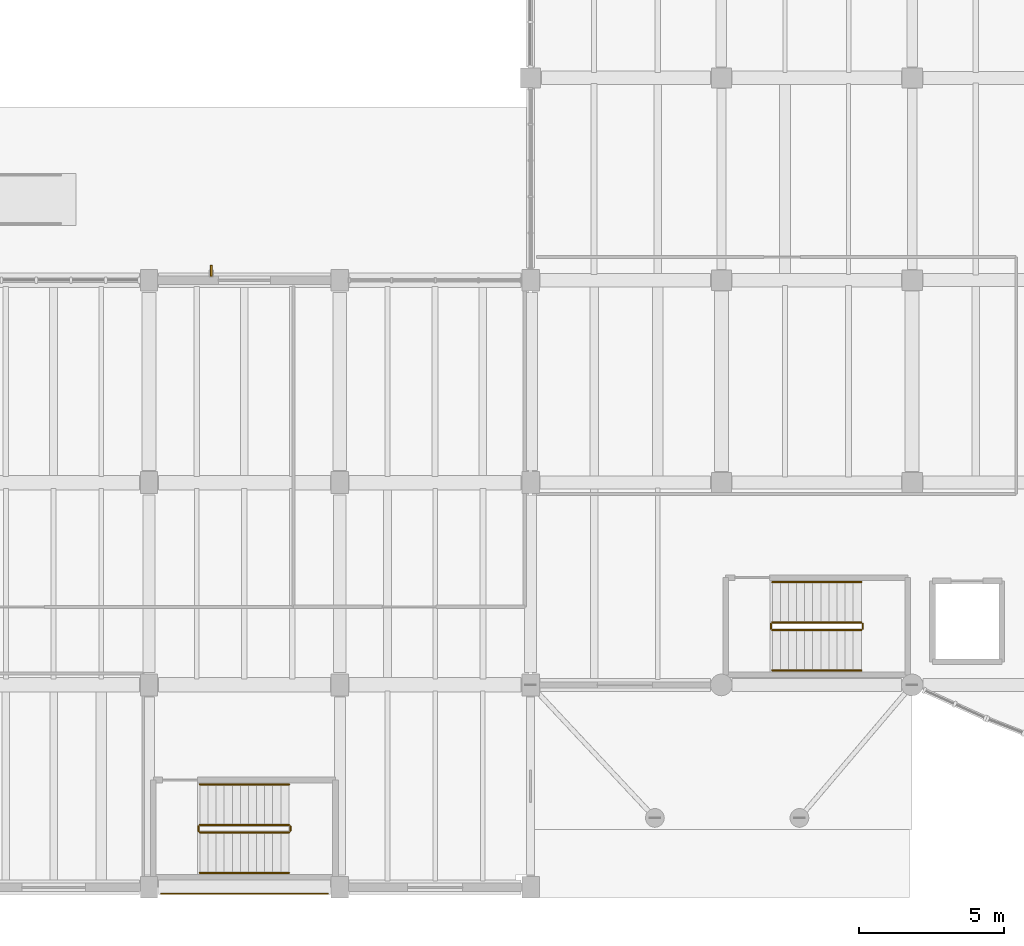
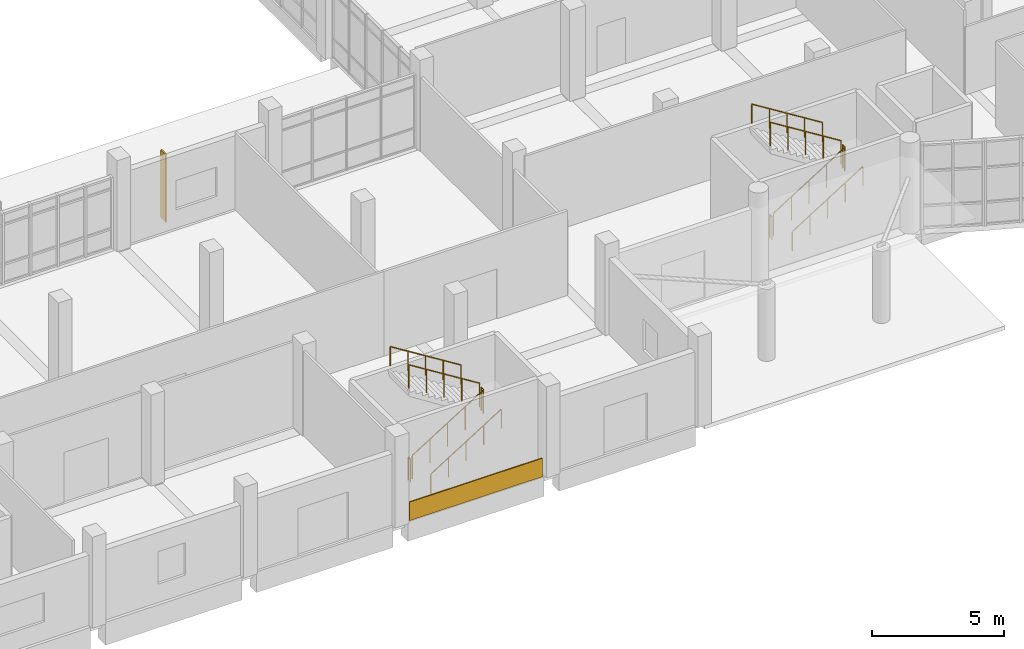
# One storey, part 60 of 69: 12 railings, 1 covering, 1 shading device.
"""IFC4 building model written with IfcOpenShell, lengths in metres."""

from ifc_helpers import new_model, si_unit, direction, frame, origin, origin_2d, place, context, subcontext, project, spatial, rectangle, circle, extrude, material, layer, layer_set, material_profile, profile_set, type_object, element, save


model = new_model("IFC4")

# Units and contexts
model_context = context("Model", 3, precision=1e-05, world=origin(), true_north=direction((0.0, 1.0)))
body_context = subcontext(model_context, "Body", "Model", "MODEL_VIEW")
ifc_project = project(units=[si_unit("LENGTHUNIT", "METRE"), si_unit("AREAUNIT", "SQUARE_METRE"), si_unit("VOLUMEUNIT", "CUBIC_METRE"), si_unit("PLANEANGLEUNIT", "RADIAN"), si_unit("MASSUNIT", "GRAM", prefix="KILO")], contexts=[model_context])

# Site, building, storey
site_placement = place(None, origin())
site = spatial("IfcSite", under=ifc_project, at=site_placement, CompositionType="ELEMENT")
building_placement = place(site_placement, origin())
building = spatial("IfcBuilding", under=site, at=building_placement, Name="Ciguamira Faculty of Natural Sciences", CompositionType="ELEMENT")
storey_placement = place(building_placement, origin())
storey = spatial("IfcBuildingStorey", under=building, at=storey_placement, Name="L00", CompositionType="ELEMENT", Elevation=0.0)

# Covering
ifc_material_1 = material(Name="Precast concrete C40/50", Category="concrete")
ifc_layer = layer(ifc_material_1, 0.050048828125, Name="Precast concrete C40/50")
ifc_layer_set = layer_set([ifc_layer], Name="Precast concrete C40/50")
covering_type = type_object("IfcCoveringType", Name="Cladding_CL01", PredefinedType="CLADDING", material=ifc_layer_set)
covering_placement = place(storey_placement, frame((40.800048828125, 2.77587890625, 0.02490234375), z_axis=(0.0, 0.0, 1.0), x_axis=(1.0, 0.0, 0.0)))
element("IfcCovering", 1, at=covering_placement, inside=storey, type_object=covering_type, Name="L00 precast concrete spandrel cladding 002", PredefinedType="CLADDING", context=body_context, shape_type="SweptSolid", body=[
    extrude(rectangle(XDim=5.800048828125, YDim=0.050048828125, at=origin_2d()), origin(), (0.0, 0.0, 1.0), 0.85009765625),
])

# Railings
ifc_material_2 = material(Name="Stainless steel balustrade", Category="steel")
railing_type_1 = type_object("IfcRailingType", Name="Guardrail_GR01", PredefinedType="GUARDRAIL", material=ifc_material_2)
railing_1_placement = place(storey_placement, frame((59.06005859375, 11.89990234375, 0.175048828125)))
element("IfcRailing", 2, at=railing_1_placement, inside=storey, type_object=railing_type_1, Name="L00 ST-A1 stair guard 1", PredefinedType="GUARDRAIL", context=body_context, shape_type="SweptSolid", body=[
    extrude(circle(Radius=0.02392578125, at=origin_2d()), frame((0.0, 0.0, 1.076171875), z_axis=(0.847979421464, 0.0, 0.530029150871), x_axis=(0.0, 1.0, 0.0)), (0.0, 0.0, 1.0), 3.632080078125),
    extrude(circle(Radius=0.02099609375, at=origin_2d()), origin(), (0.0, 0.0, 1.0), 1.052001953125),
    extrude(circle(Radius=0.02099609375, at=origin_2d()), frame((0.77001953125, 0.0, 0.481201171875)), (0.0, 0.0, 1.0), 1.052001953125),
    extrude(circle(Radius=0.02099609375, at=origin_2d()), frame((1.5400390625, 0.0, 0.96240234375)), (0.0, 0.0, 1.0), 1.052001953125),
    extrude(circle(Radius=0.02099609375, at=origin_2d()), frame((2.309814453125, 0.0, 1.44384765625)), (0.0, 0.0, 1.0), 1.052001953125),
    extrude(circle(Radius=0.02099609375, at=origin_2d()), frame((3.079833984375, 0.0, 1.925048828125)), (0.0, 0.0, 1.0), 1.052001953125),
])
railing_2_placement = place(storey_placement, frame((62.18994140625, 11.949951171875, 2.10009765625)))
element("IfcRailing", 3, at=railing_2_placement, inside=storey, type_object=railing_type_1, Name="L00 ST-A1 stair guard 2", PredefinedType="GUARDRAIL", context=body_context, shape_type="SweptSolid", body=[
    extrude(circle(Radius=0.02392578125, at=origin_2d()), frame((0.0, 0.0, 1.076171875), z_axis=(0.0, 1.0, 0.0), x_axis=(-1.0, 0.0, 0.0)), (0.0, 0.0, 1.0), 0.16015625),
    extrude(circle(Radius=0.02099609375, at=origin_2d()), origin(), (0.0, 0.0, 1.0), 1.052001953125),
    extrude(circle(Radius=0.02099609375, at=origin_2d()), frame((0.0, 0.16015625, 0.0)), (0.0, 0.0, 1.0), 1.052001953125),
])
railing_3_placement = place(storey_placement, frame((62.139892578125, 12.159912109375, 2.27490234375)))
element("IfcRailing", 4, at=railing_3_placement, inside=storey, type_object=railing_type_1, Name="L00 ST-A1 stair guard 3", PredefinedType="GUARDRAIL", context=body_context, shape_type="SweptSolid", body=[
    extrude(circle(Radius=0.02392578125, at=origin_2d()), frame((0.0, 0.0, 1.076171875), z_axis=(-0.847979421464, 0.0, 0.530029150871), x_axis=(0.0, -1.0, 0.0)), (0.0, 0.0, 1.0), 3.632080078125),
    extrude(circle(Radius=0.02099609375, at=origin_2d()), origin(), (0.0, 0.0, 1.0), 1.052001953125),
    extrude(circle(Radius=0.02099609375, at=origin_2d()), frame((-0.77001953125, 0.0, 0.481201171875)), (0.0, 0.0, 1.0), 1.052001953125),
    extrude(circle(Radius=0.02099609375, at=origin_2d()), frame((-1.5400390625, 0.0, 0.96240234375)), (0.0, 0.0, 1.0), 1.052001953125),
    extrude(circle(Radius=0.02099609375, at=origin_2d()), frame((-2.309814453125, 0.0, 1.44384765625)), (0.0, 0.0, 1.0), 1.052001953125),
    extrude(circle(Radius=0.02099609375, at=origin_2d()), frame((-3.079833984375, 0.0, 1.925048828125)), (0.0, 0.0, 1.0), 1.052001953125),
])
railing_4_placement = place(storey_placement, frame((59.010009765625, 11.949951171875, 0.0)))
element("IfcRailing", 5, at=railing_4_placement, inside=storey, type_object=railing_type_1, Name="L00 ST-A1 stair guard 4", PredefinedType="GUARDRAIL", context=body_context, shape_type="SweptSolid", body=[
    extrude(circle(Radius=0.02392578125, at=origin_2d()), frame((0.0, 0.0, 1.076171875), z_axis=(0.0, 1.0, 0.0), x_axis=(-1.0, 0.0, 0.0)), (0.0, 0.0, 1.0), 0.16015625),
    extrude(circle(Radius=0.02099609375, at=origin_2d()), origin(), (0.0, 0.0, 1.0), 1.052001953125),
    extrude(circle(Radius=0.02099609375, at=origin_2d()), frame((0.0, 0.16015625, 0.0)), (0.0, 0.0, 1.0), 1.052001953125),
])
railing_5_placement = place(storey_placement, frame((39.260009765625, 4.89990234375, 0.175048828125)))
element("IfcRailing", 6, at=railing_5_placement, inside=storey, type_object=railing_type_1, Name="L00 ST-C2 stair guard 1", PredefinedType="GUARDRAIL", context=body_context, shape_type="SweptSolid", body=[
    extrude(circle(Radius=0.02392578125, at=origin_2d()), frame((0.0, 0.0, 1.076171875), z_axis=(0.847998304005, 0.0, 0.529998940003), x_axis=(0.0, 1.0, 0.0)), (0.0, 0.0, 1.0), 3.632080078125),
    extrude(circle(Radius=0.02099609375, at=origin_2d()), origin(), (0.0, 0.0, 1.0), 1.052001953125),
    extrude(circle(Radius=0.02099609375, at=origin_2d()), frame((0.77001953125, 0.0, 0.481201171875)), (0.0, 0.0, 1.0), 1.052001953125),
    extrude(circle(Radius=0.02099609375, at=origin_2d()), frame((1.5400390625, 0.0, 0.96240234375)), (0.0, 0.0, 1.0), 1.052001953125),
    extrude(circle(Radius=0.02099609375, at=origin_2d()), frame((2.31005859375, 0.0, 1.44384765625)), (0.0, 0.0, 1.0), 1.052001953125),
    extrude(circle(Radius=0.02099609375, at=origin_2d()), frame((3.080078125, 0.0, 1.925048828125)), (0.0, 0.0, 1.0), 1.052001953125),
])
railing_6_placement = place(storey_placement, frame((42.389892578125, 4.949951171875, 2.10009765625)))
element("IfcRailing", 7, at=railing_6_placement, inside=storey, type_object=railing_type_1, Name="L00 ST-C2 stair guard 2", PredefinedType="GUARDRAIL", context=body_context, shape_type="SweptSolid", body=[
    extrude(circle(Radius=0.02392578125, at=origin_2d()), frame((0.0, 0.0, 1.076171875), z_axis=(0.0, 1.0, 0.0), x_axis=(-1.0, 0.0, 0.0)), (0.0, 0.0, 1.0), 0.16015625),
    extrude(circle(Radius=0.02099609375, at=origin_2d()), origin(), (0.0, 0.0, 1.0), 1.052001953125),
    extrude(circle(Radius=0.02099609375, at=origin_2d()), frame((0.0, 0.16015625, 0.0)), (0.0, 0.0, 1.0), 1.052001953125),
])
railing_7_placement = place(storey_placement, frame((42.340087890625, 5.159912109375, 2.27490234375)))
element("IfcRailing", 8, at=railing_7_placement, inside=storey, type_object=railing_type_1, Name="L00 ST-C2 stair guard 3", PredefinedType="GUARDRAIL", context=body_context, shape_type="SweptSolid", body=[
    extrude(circle(Radius=0.02392578125, at=origin_2d()), frame((0.0, 0.0, 1.076171875), z_axis=(-0.847998304005, 0.0, 0.529998940003), x_axis=(0.0, -1.0, 0.0)), (0.0, 0.0, 1.0), 3.632080078125),
    extrude(circle(Radius=0.02099609375, at=origin_2d()), origin(), (0.0, 0.0, 1.0), 1.052001953125),
    extrude(circle(Radius=0.02099609375, at=origin_2d()), frame((-0.77001953125, 0.0, 0.481201171875)), (0.0, 0.0, 1.0), 1.052001953125),
    extrude(circle(Radius=0.02099609375, at=origin_2d()), frame((-1.5400390625, 0.0, 0.96240234375)), (0.0, 0.0, 1.0), 1.052001953125),
    extrude(circle(Radius=0.02099609375, at=origin_2d()), frame((-2.31005859375, 0.0, 1.44384765625)), (0.0, 0.0, 1.0), 1.052001953125),
    extrude(circle(Radius=0.02099609375, at=origin_2d()), frame((-3.080078125, 0.0, 1.925048828125)), (0.0, 0.0, 1.0), 1.052001953125),
])
railing_8_placement = place(storey_placement, frame((39.2099609375, 4.949951171875, 0.0)))
element("IfcRailing", 9, at=railing_8_placement, inside=storey, type_object=railing_type_1, Name="L00 ST-C2 stair guard 4", PredefinedType="GUARDRAIL", context=body_context, shape_type="SweptSolid", body=[
    extrude(circle(Radius=0.02392578125, at=origin_2d()), frame((0.0, 0.0, 1.076171875), z_axis=(0.0, 1.0, 0.0), x_axis=(-1.0, 0.0, 0.0)), (0.0, 0.0, 1.0), 0.16015625),
    extrude(circle(Radius=0.02099609375, at=origin_2d()), origin(), (0.0, 0.0, 1.0), 1.052001953125),
    extrude(circle(Radius=0.02099609375, at=origin_2d()), frame((0.0, 0.16015625, 0.0)), (0.0, 0.0, 1.0), 1.052001953125),
])
ifc_material_3 = material(Name="Stainless steel handrail", Category="steel")
railing_type_2 = type_object("IfcRailingType", Name="Handrail_HR01", PredefinedType="HANDRAIL", material=ifc_material_3)
railing_9_placement = place(storey_placement, frame((59.06005859375, 10.5, 0.35009765625)))
element("IfcRailing", 10, at=railing_9_placement, inside=storey, type_object=railing_type_2, Name="L00 ST-A1 stair handrail 1", PredefinedType="HANDRAIL", context=body_context, shape_type="SweptSolid", body=[
    extrude(circle(Radius=0.02392578125, at=origin_2d()), frame((0.0, 0.0, 0.89111328125), z_axis=(0.848009633417, 0.0, 0.529980812513), x_axis=(0.0, 1.0, 0.0)), (0.0, 0.0, 1.0), 3.6318359375),
    extrude(circle(Radius=0.02099609375, at=origin_2d()), origin(), (0.0, 0.0, 1.0), 0.866943359375),
    extrude(circle(Radius=0.02099609375, at=origin_2d()), frame((0.77001953125, 0.0, 0.481201171875)), (0.0, 0.0, 1.0), 0.866943359375),
    extrude(circle(Radius=0.02099609375, at=origin_2d()), frame((1.5400390625, 0.0, 0.96240234375)), (0.0, 0.0, 1.0), 0.866943359375),
    extrude(circle(Radius=0.02099609375, at=origin_2d()), frame((2.309814453125, 0.0, 1.443603515625)), (0.0, 0.0, 1.0), 0.866943359375),
    extrude(circle(Radius=0.02099609375, at=origin_2d()), frame((3.079833984375, 0.0, 1.9248046875)), (0.0, 0.0, 1.0), 0.866943359375),
])
railing_10_placement = place(storey_placement, frame((62.139892578125, 13.56005859375, 2.449951171875)))
element("IfcRailing", 11, at=railing_10_placement, inside=storey, type_object=railing_type_2, Name="L00 ST-A1 stair handrail 2", PredefinedType="HANDRAIL", context=body_context, shape_type="SweptSolid", body=[
    extrude(circle(Radius=0.02392578125, at=origin_2d()), frame((0.0, 0.0, 0.89111328125), z_axis=(-0.847979421464, 0.0, 0.530029150871), x_axis=(0.0, -1.0, 0.0)), (0.0, 0.0, 1.0), 3.632080078125),
    extrude(circle(Radius=0.02099609375, at=origin_2d()), origin(), (0.0, 0.0, 1.0), 0.866943359375),
    extrude(circle(Radius=0.02099609375, at=origin_2d()), frame((-0.77001953125, 0.0, 0.481201171875)), (0.0, 0.0, 1.0), 0.866943359375),
    extrude(circle(Radius=0.02099609375, at=origin_2d()), frame((-1.5400390625, 0.0, 0.96240234375)), (0.0, 0.0, 1.0), 0.866943359375),
    extrude(circle(Radius=0.02099609375, at=origin_2d()), frame((-2.309814453125, 0.0, 1.44384765625)), (0.0, 0.0, 1.0), 0.866943359375),
    extrude(circle(Radius=0.02099609375, at=origin_2d()), frame((-3.079833984375, 0.0, 1.925048828125)), (0.0, 0.0, 1.0), 0.866943359375),
])
railing_11_placement = place(storey_placement, frame((39.260009765625, 3.5, 0.35009765625)))
element("IfcRailing", 12, at=railing_11_placement, inside=storey, type_object=railing_type_2, Name="L00 ST-C2 stair handrail 1", PredefinedType="HANDRAIL", context=body_context, shape_type="SweptSolid", body=[
    extrude(circle(Radius=0.02392578125, at=origin_2d()), frame((0.0, 0.0, 0.89111328125), z_axis=(0.848028513186, 0.0, 0.529950602248), x_axis=(0.0, 1.0, 0.0)), (0.0, 0.0, 1.0), 3.632080078125),
    extrude(circle(Radius=0.02099609375, at=origin_2d()), origin(), (0.0, 0.0, 1.0), 0.866943359375),
    extrude(circle(Radius=0.02099609375, at=origin_2d()), frame((0.77001953125, 0.0, 0.481201171875)), (0.0, 0.0, 1.0), 0.866943359375),
    extrude(circle(Radius=0.02099609375, at=origin_2d()), frame((1.5400390625, 0.0, 0.96240234375)), (0.0, 0.0, 1.0), 0.866943359375),
    extrude(circle(Radius=0.02099609375, at=origin_2d()), frame((2.31005859375, 0.0, 1.443603515625)), (0.0, 0.0, 1.0), 0.866943359375),
    extrude(circle(Radius=0.02099609375, at=origin_2d()), frame((3.080078125, 0.0, 1.9248046875)), (0.0, 0.0, 1.0), 0.866943359375),
])
railing_12_placement = place(storey_placement, frame((42.340087890625, 6.56005859375, 2.449951171875)))
element("IfcRailing", 13, at=railing_12_placement, inside=storey, type_object=railing_type_2, Name="L00 ST-C2 stair handrail 2", PredefinedType="HANDRAIL", context=body_context, shape_type="SweptSolid", body=[
    extrude(circle(Radius=0.02392578125, at=origin_2d()), frame((0.0, 0.0, 0.89111328125), z_axis=(-0.847998304005, 0.0, 0.529998940003), x_axis=(0.0, -1.0, 0.0)), (0.0, 0.0, 1.0), 3.632080078125),
    extrude(circle(Radius=0.02099609375, at=origin_2d()), origin(), (0.0, 0.0, 1.0), 0.866943359375),
    extrude(circle(Radius=0.02099609375, at=origin_2d()), frame((-0.77001953125, 0.0, 0.481201171875)), (0.0, 0.0, 1.0), 0.866943359375),
    extrude(circle(Radius=0.02099609375, at=origin_2d()), frame((-1.5400390625, 0.0, 0.96240234375)), (0.0, 0.0, 1.0), 0.866943359375),
    extrude(circle(Radius=0.02099609375, at=origin_2d()), frame((-2.31005859375, 0.0, 1.44384765625)), (0.0, 0.0, 1.0), 0.866943359375),
    extrude(circle(Radius=0.02099609375, at=origin_2d()), frame((-3.080078125, 0.0, 1.925048828125)), (0.0, 0.0, 1.0), 0.866943359375),
])

# Shading device
ifc_material_4 = material(Name="Anodized bronze sunshade fin")
ifc_material_profile = material_profile(ifc_material_4, rectangle(XDim=0.06494140625, YDim=0.3798828125, at=origin_2d()), Name="BRZ-FIN-65X380")
ifc_profile_set = profile_set([ifc_material_profile], Name="Anodized bronze sunshade fin")
shading_device_type = type_object("IfcShadingDeviceType", Name="SunFin_SF01", PredefinedType="USERDEFINED", material=ifc_profile_set)
shading_device_placement = place(storey_placement, frame((39.64990234375, 24.330078125, 0.199951171875), z_axis=(0.0, 0.0, 1.0), x_axis=(1.0, 0.0, 0.0)))
element("IfcShadingDevice", 14, at=shading_device_placement, inside=storey, type_object=shading_device_type, Name="L00 bronze vertical sunshade fin 0002", ObjectType="SUNSHADE FIN", PredefinedType="USERDEFINED", context=body_context, shape_type="SweptSolid", body=[
    extrude(rectangle(XDim=0.06494140625, YDim=0.3798828125, at=origin_2d()), origin(), (0.0, 0.0, 1.0), 3.114990234375),
])

save(model, "model.ifc")
